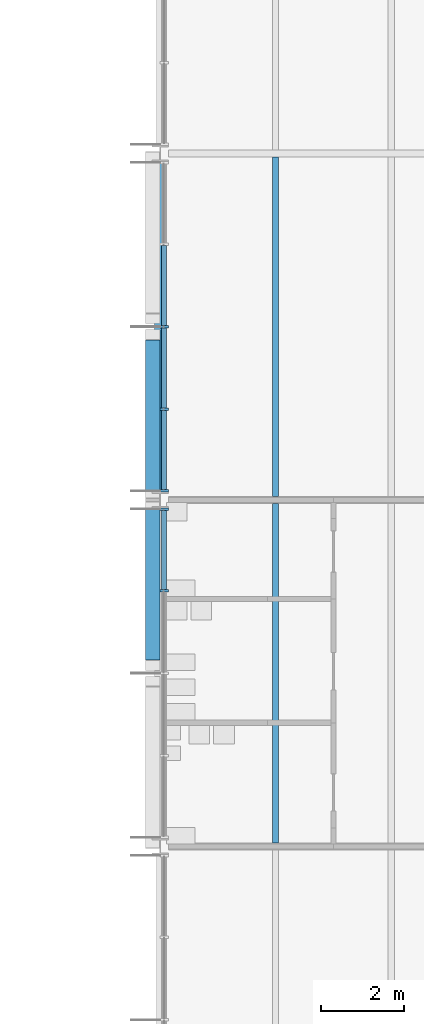
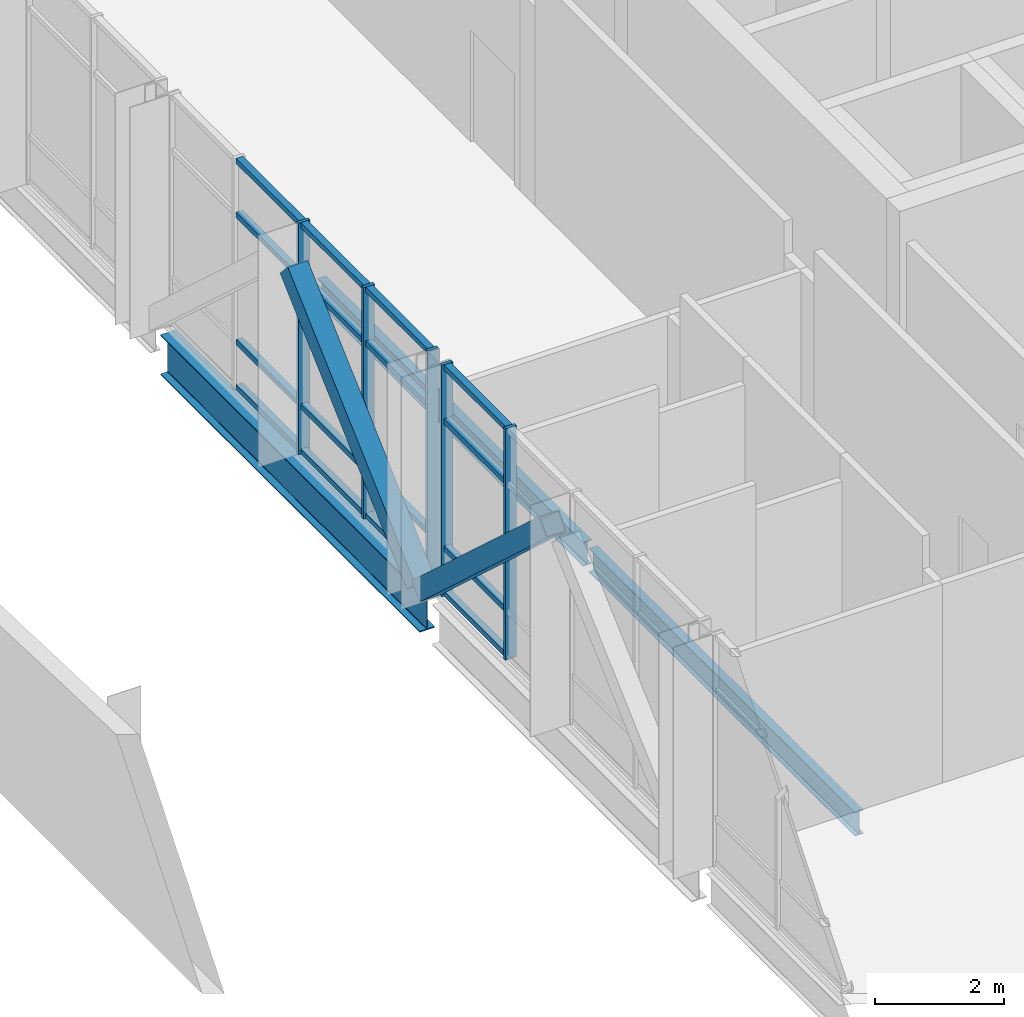
# One storey, part 19 of 72: 23 members, 3 beams, 2 elements without a shape of their own.
"""IFC4 building model written with IfcOpenShell, lengths in metres."""

from ifc_helpers import new_model, si_unit, direction, frame, origin, origin_2d, place, context, subcontext, project, spatial, rectangle, hollow_rectangle, i_section, extrude, material, material_profile, profile_set, type_object, element, aggregate, save


model = new_model("IFC4")

# Units and contexts
model_context = context("Model", 3, precision=1e-05, world=origin(), true_north=direction((0.0, 1.0)))
body_context = subcontext(model_context, "Body", "Model", "MODEL_VIEW")
ifc_project = project(units=[si_unit("LENGTHUNIT", "METRE"), si_unit("AREAUNIT", "SQUARE_METRE"), si_unit("VOLUMEUNIT", "CUBIC_METRE"), si_unit("PLANEANGLEUNIT", "RADIAN"), si_unit("MASSUNIT", "GRAM", prefix="KILO")], contexts=[model_context])

# Site, building, storey
site_placement = place(None, origin())
site = spatial("IfcSite", under=ifc_project, at=site_placement, CompositionType="ELEMENT")
building_placement = place(site_placement, origin())
building = spatial("IfcBuilding", under=site, at=building_placement, Name="Hlaing Beacon Police Headquarters", CompositionType="ELEMENT")
storey_placement = place(building_placement, frame((0.0, 0.0, 14.39990234375)))
storey = spatial("IfcBuildingStorey", under=building, at=storey_placement, Name="L03", CompositionType="ELEMENT", Elevation=14.39990234375)

# Members
ifc_material_1 = material(Name="Steel ASTM A500 Grade C", Category="steel")
ifc_material_profile_1 = material_profile(ifc_material_1, hollow_rectangle(XDim=0.355712890625, YDim=0.355712890625, WallThickness=0.015869140625, at=origin_2d()), Name="HSS14x14x5/8")
ifc_profile_set_1 = profile_set([ifc_material_profile_1], Name="Steel ASTM A500 Grade C")
member_type_1 = type_object("IfcMemberType", Name="Chevron brace HSS14x14x5/8", PredefinedType="BRACE", material=ifc_profile_set_1)
for number, where, z_axis, x_axis, name in (
    (1, (100.6181640625, 50.323974609375, 0.131103515625), (0.0, -0.738196081361, 0.674586203137), (1.0, 0.0, 0.0), "STR-BR-L03-N6b"),
    (2, (100.6181640625, 50.47607421875, 0.131103515625), (0.0, 0.738175180134, 0.674609074527), (-1.0, 0.0, 0.0), "STR-BR-L03-N7a"),
):
    element("IfcMember", number, at=place(storey_placement, frame(where, z_axis=z_axis, x_axis=x_axis)), inside=storey, type_object=member_type_1, Name=name, PredefinedType="BRACE", context=body_context, shape_type="SweptSolid", body=[
        extrude(hollow_rectangle(XDim=0.355712890625, YDim=0.355712890625, WallThickness=0.015869140625, at=origin_2d()), origin(), (0.0, 0.0, 1.0), 5.315673828125),
    ])

# Beam
ifc_material_2 = material(Name="Steel ASTM A992 Grade 50", Category="steel")
ifc_material_profile_2 = material_profile(ifc_material_2, i_section(OverallWidth=0.2666015625, OverallDepth=0.761962890625, WebThickness=0.014404296875, FlangeThickness=0.021484375, FilletRadius=0.0166015625, at=origin_2d()), Name="W30x116")
ifc_profile_set_2 = profile_set([ifc_material_profile_2], Name="Steel ASTM A992 Grade 50")
beam_type_1 = type_object("IfcBeamType", Name="Girder W30x116", PredefinedType="BEAM", material=ifc_profile_set_2)
beam_placement = place(storey_placement, frame((100.800048828125, 50.593017578125, -0.510986328125), z_axis=(0.0, 1.0, 0.0), x_axis=(-1.0, 0.0, 0.0)))
element("IfcBeam", 3, at=beam_placement, inside=storey, type_object=beam_type_1, Name="STR-BM-L03-GY-N7-N8", PredefinedType="BEAM", context=body_context, shape_type="SweptSolid", body=[
    extrude(i_section(OverallWidth=0.2666015625, OverallDepth=0.761962890625, WebThickness=0.014404296875, FlangeThickness=0.021484375, FilletRadius=0.0166015625, at=origin_2d()), origin(), (0.0, 0.0, 1.0), 8.013916015625),
])

# Curtain wall, members
ifc_material_3 = material(Name="Aluminium frame with solar control glazing", Category="aluminium")
curtain_wall_type = type_object("IfcCurtainWallType", Name="Unitised curtain wall 8.02 x 4.37", PredefinedType="NOTDEFINED", material=ifc_material_3)
curtain_wall_1_placement = place(storey_placement, origin())
curtain_wall_1 = element("IfcCurtainWall", 4, at=curtain_wall_1_placement, inside=storey, type_object=curtain_wall_type, Name="ENV-CW-L03-W037", PredefinedType="NOTDEFINED")
ifc_material_4 = material(Name="Aluminium", Category="aluminium")
ifc_material_profile_3 = material_profile(ifc_material_4, rectangle(XDim=0.199951171875, YDim=0.06005859375, at=origin_2d()), Name="Mullion 60x200")
ifc_profile_set_3 = profile_set([ifc_material_profile_3], Name="Aluminium")
member_type_2 = type_object("IfcMemberType", Name="Mullion 60x200", PredefinedType="MULLION", material=ifc_profile_set_3)
member_1_placement = place(storey_placement, frame((100.89990234375, 54.60009765625, 0.0), z_axis=(0.0, 0.0, 1.0), x_axis=(1.0, 0.0, 0.0)))
member_1 = element("IfcMember", 5, at=member_1_placement, type_object=member_type_2, Name="CW-L03-W037 mullion 3", PredefinedType="MULLION", context=body_context, shape_type="SweptSolid", body=[
    extrude(rectangle(XDim=0.199951171875, YDim=0.06005859375, at=origin_2d()), origin(), (0.0, 0.0, 1.0), 4.3701171875),
])
member_2_placement = place(storey_placement, frame((100.89990234375, 52.59521484375, 0.0), z_axis=(0.0, 0.0, 1.0), x_axis=(1.0, 0.0, 0.0)))
member_2 = element("IfcMember", 6, at=member_2_placement, type_object=member_type_2, Name="CW-L03-W037 mullion 4", PredefinedType="MULLION", context=body_context, shape_type="SweptSolid", body=[
    extrude(rectangle(XDim=0.199951171875, YDim=0.06005859375, at=origin_2d()), origin(), (0.0, 0.0, 1.0), 4.3701171875),
])
member_3_placement = place(storey_placement, frame((100.89990234375, 50.62060546875, 0.0), z_axis=(0.0, 0.0, 1.0), x_axis=(1.0, 0.0, 0.0)))
member_3 = element("IfcMember", 7, at=member_3_placement, type_object=member_type_2, Name="CW-L03-W037 mullion 5", PredefinedType="MULLION", context=body_context, shape_type="SweptSolid", body=[
    extrude(rectangle(XDim=0.199951171875, YDim=0.06005859375, at=origin_2d()), origin(), (0.0, 0.0, 1.0), 4.3701171875),
])

curtain_wall_2_placement = place(storey_placement, origin())
curtain_wall_2 = element("IfcCurtainWall", 8, at=curtain_wall_2_placement, inside=storey, type_object=curtain_wall_type, Name="ENV-CW-L03-W038", PredefinedType="NOTDEFINED")
member_4_placement = place(storey_placement, frame((100.89990234375, 50.179443359375, 0.0), z_axis=(0.0, 0.0, 1.0), x_axis=(1.0, 0.0, 0.0)))
member_4 = element("IfcMember", 9, at=member_4_placement, type_object=member_type_2, Name="CW-L03-W038 mullion 1", PredefinedType="MULLION", context=body_context, shape_type="SweptSolid", body=[
    extrude(rectangle(XDim=0.199951171875, YDim=0.06005859375, at=origin_2d()), origin(), (0.0, 0.0, 1.0), 4.3701171875),
])
member_5_placement = place(storey_placement, frame((100.89990234375, 48.204833984375, 0.0), z_axis=(0.0, 0.0, 1.0), x_axis=(1.0, 0.0, 0.0)))
member_5 = element("IfcMember", 10, at=member_5_placement, type_object=member_type_2, Name="CW-L03-W038 mullion 2", PredefinedType="MULLION", context=body_context, shape_type="SweptSolid", body=[
    extrude(rectangle(XDim=0.199951171875, YDim=0.06005859375, at=origin_2d()), origin(), (0.0, 0.0, 1.0), 4.3701171875),
])

# Beams
ifc_material_5 = material(Name="Steel ASTM A992 Grade 50", Category="steel")
ifc_material_profile_4 = material_profile(ifc_material_5, i_section(OverallWidth=0.15234375, OverallDepth=0.449462890625, WebThickness=0.007568359375, FlangeThickness=0.0107421875, FilletRadius=0.01025390625, at=origin_2d()), Name="W18x35")
ifc_profile_set_4 = profile_set([ifc_material_profile_4], Name="Steel ASTM A992 Grade 50")
beam_type_2 = type_object("IfcBeamType", Name="Secondary beam W18x35", PredefinedType="BEAM", material=ifc_profile_set_4)
for number, where, z_axis, x_axis, name in (
    (11, (103.60009765625, 42.089111328125, -0.354736328125), (0.0, 1.0, 0.0), (-1.0, 0.0, 0.0), "STR-BM-L03-SB-N6-y1"),
    (12, (103.60009765625, 50.489013671875, -0.354736328125), (0.0, 1.0, 0.0), (-1.0, 0.0, 0.0), "STR-BM-L03-SB-N7-y1"),
):
    element("IfcBeam", number, at=place(storey_placement, frame(where, z_axis=z_axis, x_axis=x_axis)), inside=storey, type_object=beam_type_2, Name=name, PredefinedType="BEAM", context=body_context, shape_type="SweptSolid", body=[
        extrude(i_section(OverallWidth=0.15234375, OverallDepth=0.449462890625, WebThickness=0.007568359375, FlangeThickness=0.0107421875, FilletRadius=0.01025390625, at=origin_2d()), origin(), (0.0, 0.0, 1.0), 8.221923828125),
    ])

# Member
ifc_material_6 = material(Name="Aluminium", Category="aluminium")
ifc_material_profile_5 = material_profile(ifc_material_6, rectangle(XDim=0.1201171875, YDim=0.10009765625, at=origin_2d()), Name="Transom 120x100")
ifc_profile_set_5 = profile_set([ifc_material_profile_5], Name="Aluminium")
member_type_3 = type_object("IfcMemberType", Name="Transom 120x100", PredefinedType="USERDEFINED", material=ifc_profile_set_5)
member_6_placement = place(storey_placement, frame((100.89990234375, 56.57470703125, 0.050048828125), z_axis=(0.0, -1.0, 0.0), x_axis=(1.0, 0.0, 0.0)))
member_6 = element("IfcMember", 13, at=member_6_placement, type_object=member_type_3, Name="CW-L03-W037 transom 2.1", ObjectType="TRANSOM", PredefinedType="USERDEFINED", context=body_context, shape_type="SweptSolid", body=[
    extrude(rectangle(XDim=0.1201171875, YDim=0.10009765625, at=origin_2d()), origin(), (0.0, 0.0, 1.0), 1.94482421875),
])

member_7_placement = place(storey_placement, frame((100.89990234375, 56.57470703125, 0.900146484375), z_axis=(0.0, -1.0, 0.0), x_axis=(1.0, 0.0, 0.0)))
member_7 = element("IfcMember", 14, at=member_7_placement, type_object=member_type_3, Name="CW-L03-W037 transom 2.2", ObjectType="TRANSOM", PredefinedType="USERDEFINED", context=body_context, shape_type="SweptSolid", body=[
    extrude(rectangle(XDim=0.1201171875, YDim=0.10009765625, at=origin_2d()), origin(), (0.0, 0.0, 1.0), 1.94482421875),
])

member_8_placement = place(storey_placement, frame((100.89990234375, 56.57470703125, 3.300048828125), z_axis=(0.0, -1.0, 0.0), x_axis=(1.0, 0.0, 0.0)))
member_8 = element("IfcMember", 15, at=member_8_placement, type_object=member_type_3, Name="CW-L03-W037 transom 2.3", ObjectType="TRANSOM", PredefinedType="USERDEFINED", context=body_context, shape_type="SweptSolid", body=[
    extrude(rectangle(XDim=0.1201171875, YDim=0.10009765625, at=origin_2d()), origin(), (0.0, 0.0, 1.0), 1.94482421875),
])

member_9_placement = place(storey_placement, frame((100.89990234375, 56.57470703125, 4.320068359375), z_axis=(0.0, -1.0, 0.0), x_axis=(1.0, 0.0, 0.0)))
member_9 = element("IfcMember", 16, at=member_9_placement, type_object=member_type_3, Name="CW-L03-W037 transom 2.4", ObjectType="TRANSOM", PredefinedType="USERDEFINED", context=body_context, shape_type="SweptSolid", body=[
    extrude(rectangle(XDim=0.1201171875, YDim=0.10009765625, at=origin_2d()), origin(), (0.0, 0.0, 1.0), 1.94482421875),
])

member_10_placement = place(storey_placement, frame((100.89990234375, 54.570068359375, 0.050048828125), z_axis=(0.0, -1.0, 0.0), x_axis=(1.0, 0.0, 0.0)))
member_10 = element("IfcMember", 17, at=member_10_placement, type_object=member_type_3, Name="CW-L03-W037 transom 3.1", ObjectType="TRANSOM", PredefinedType="USERDEFINED", context=body_context, shape_type="SweptSolid", body=[
    extrude(rectangle(XDim=0.1201171875, YDim=0.10009765625, at=origin_2d()), origin(), (0.0, 0.0, 1.0), 1.94482421875),
])

member_11_placement = place(storey_placement, frame((100.89990234375, 54.570068359375, 0.900146484375), z_axis=(0.0, -1.0, 0.0), x_axis=(1.0, 0.0, 0.0)))
member_11 = element("IfcMember", 18, at=member_11_placement, type_object=member_type_3, Name="CW-L03-W037 transom 3.2", ObjectType="TRANSOM", PredefinedType="USERDEFINED", context=body_context, shape_type="SweptSolid", body=[
    extrude(rectangle(XDim=0.1201171875, YDim=0.10009765625, at=origin_2d()), origin(), (0.0, 0.0, 1.0), 1.94482421875),
])

member_12_placement = place(storey_placement, frame((100.89990234375, 54.570068359375, 3.300048828125), z_axis=(0.0, -1.0, 0.0), x_axis=(1.0, 0.0, 0.0)))
member_12 = element("IfcMember", 19, at=member_12_placement, type_object=member_type_3, Name="CW-L03-W037 transom 3.3", ObjectType="TRANSOM", PredefinedType="USERDEFINED", context=body_context, shape_type="SweptSolid", body=[
    extrude(rectangle(XDim=0.1201171875, YDim=0.10009765625, at=origin_2d()), origin(), (0.0, 0.0, 1.0), 1.94482421875),
])

member_13_placement = place(storey_placement, frame((100.89990234375, 54.570068359375, 4.320068359375), z_axis=(0.0, -1.0, 0.0), x_axis=(1.0, 0.0, 0.0)))
member_13 = element("IfcMember", 20, at=member_13_placement, type_object=member_type_3, Name="CW-L03-W037 transom 3.4", ObjectType="TRANSOM", PredefinedType="USERDEFINED", context=body_context, shape_type="SweptSolid", body=[
    extrude(rectangle(XDim=0.1201171875, YDim=0.10009765625, at=origin_2d()), origin(), (0.0, 0.0, 1.0), 1.94482421875),
])

member_14_placement = place(storey_placement, frame((100.89990234375, 52.565185546875, 0.050048828125), z_axis=(0.0, -1.0, 0.0), x_axis=(1.0, 0.0, 0.0)))
member_14 = element("IfcMember", 21, at=member_14_placement, type_object=member_type_3, Name="CW-L03-W037 transom 4.1", ObjectType="TRANSOM", PredefinedType="USERDEFINED", context=body_context, shape_type="SweptSolid", body=[
    extrude(rectangle(XDim=0.1201171875, YDim=0.10009765625, at=origin_2d()), origin(), (0.0, 0.0, 1.0), 1.914794921875),
])

member_15_placement = place(storey_placement, frame((100.89990234375, 52.565185546875, 0.900146484375), z_axis=(0.0, -1.0, 0.0), x_axis=(1.0, 0.0, 0.0)))
member_15 = element("IfcMember", 22, at=member_15_placement, type_object=member_type_3, Name="CW-L03-W037 transom 4.2", ObjectType="TRANSOM", PredefinedType="USERDEFINED", context=body_context, shape_type="SweptSolid", body=[
    extrude(rectangle(XDim=0.1201171875, YDim=0.10009765625, at=origin_2d()), origin(), (0.0, 0.0, 1.0), 1.914794921875),
])

member_16_placement = place(storey_placement, frame((100.89990234375, 52.565185546875, 3.300048828125), z_axis=(0.0, -1.0, 0.0), x_axis=(1.0, 0.0, 0.0)))
member_16 = element("IfcMember", 23, at=member_16_placement, type_object=member_type_3, Name="CW-L03-W037 transom 4.3", ObjectType="TRANSOM", PredefinedType="USERDEFINED", context=body_context, shape_type="SweptSolid", body=[
    extrude(rectangle(XDim=0.1201171875, YDim=0.10009765625, at=origin_2d()), origin(), (0.0, 0.0, 1.0), 1.914794921875),
])

member_17_placement = place(storey_placement, frame((100.89990234375, 52.565185546875, 4.320068359375), z_axis=(0.0, -1.0, 0.0), x_axis=(1.0, 0.0, 0.0)))
member_17 = element("IfcMember", 24, at=member_17_placement, type_object=member_type_3, Name="CW-L03-W037 transom 4.4", ObjectType="TRANSOM", PredefinedType="USERDEFINED", context=body_context, shape_type="SweptSolid", body=[
    extrude(rectangle(XDim=0.1201171875, YDim=0.10009765625, at=origin_2d()), origin(), (0.0, 0.0, 1.0), 1.914794921875),
])

aggregate(curtain_wall_1, [member_1, member_2, member_3, member_6, member_7, member_8, member_9, member_10, member_11, member_12, member_13, member_14, member_15, member_16, member_17])

member_18_placement = place(storey_placement, frame((100.89990234375, 50.1494140625, 0.050048828125), z_axis=(0.0, -1.0, 0.0), x_axis=(1.0, 0.0, 0.0)))
member_18 = element("IfcMember", 25, at=member_18_placement, type_object=member_type_3, Name="CW-L03-W038 transom 1.1", ObjectType="TRANSOM", PredefinedType="USERDEFINED", context=body_context, shape_type="SweptSolid", body=[
    extrude(rectangle(XDim=0.1201171875, YDim=0.10009765625, at=origin_2d()), origin(), (0.0, 0.0, 1.0), 1.91455078125),
])

member_19_placement = place(storey_placement, frame((100.89990234375, 50.1494140625, 0.900146484375), z_axis=(0.0, -1.0, 0.0), x_axis=(1.0, 0.0, 0.0)))
member_19 = element("IfcMember", 26, at=member_19_placement, type_object=member_type_3, Name="CW-L03-W038 transom 1.2", ObjectType="TRANSOM", PredefinedType="USERDEFINED", context=body_context, shape_type="SweptSolid", body=[
    extrude(rectangle(XDim=0.1201171875, YDim=0.10009765625, at=origin_2d()), origin(), (0.0, 0.0, 1.0), 1.91455078125),
])

member_20_placement = place(storey_placement, frame((100.89990234375, 50.1494140625, 3.300048828125), z_axis=(0.0, -1.0, 0.0), x_axis=(1.0, 0.0, 0.0)))
member_20 = element("IfcMember", 27, at=member_20_placement, type_object=member_type_3, Name="CW-L03-W038 transom 1.3", ObjectType="TRANSOM", PredefinedType="USERDEFINED", context=body_context, shape_type="SweptSolid", body=[
    extrude(rectangle(XDim=0.1201171875, YDim=0.10009765625, at=origin_2d()), origin(), (0.0, 0.0, 1.0), 1.91455078125),
])

member_21_placement = place(storey_placement, frame((100.89990234375, 50.1494140625, 4.320068359375), z_axis=(0.0, -1.0, 0.0), x_axis=(1.0, 0.0, 0.0)))
member_21 = element("IfcMember", 28, at=member_21_placement, type_object=member_type_3, Name="CW-L03-W038 transom 1.4", ObjectType="TRANSOM", PredefinedType="USERDEFINED", context=body_context, shape_type="SweptSolid", body=[
    extrude(rectangle(XDim=0.1201171875, YDim=0.10009765625, at=origin_2d()), origin(), (0.0, 0.0, 1.0), 1.91455078125),
])

aggregate(curtain_wall_2, [member_4, member_5, member_18, member_19, member_20, member_21])

save(model, "model.ifc")
